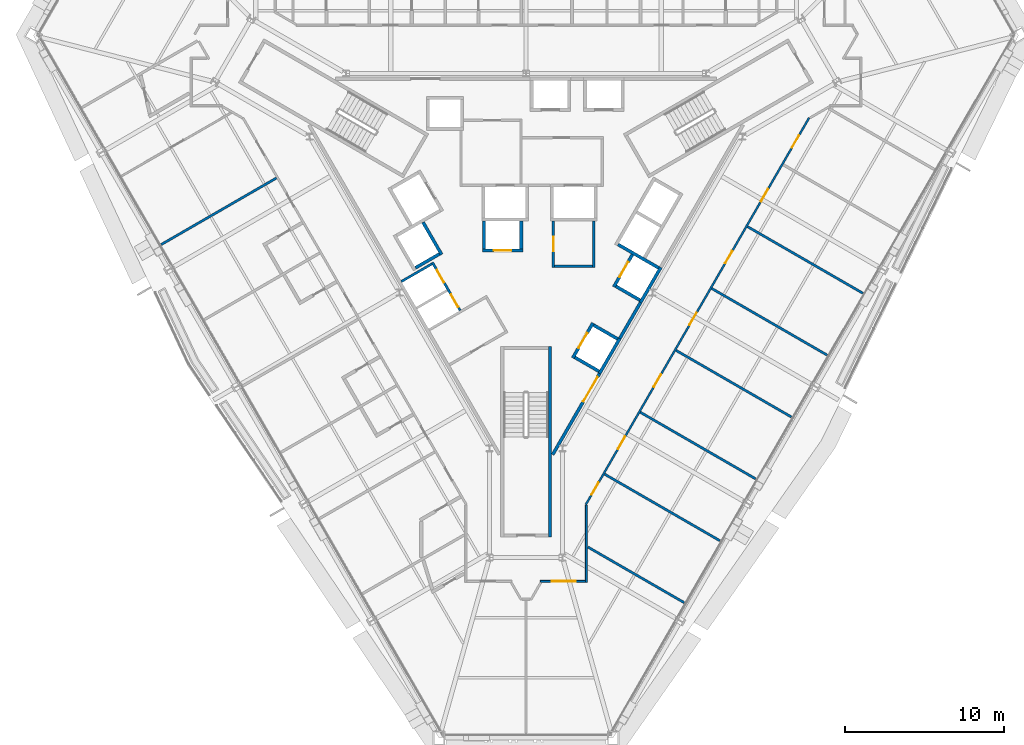
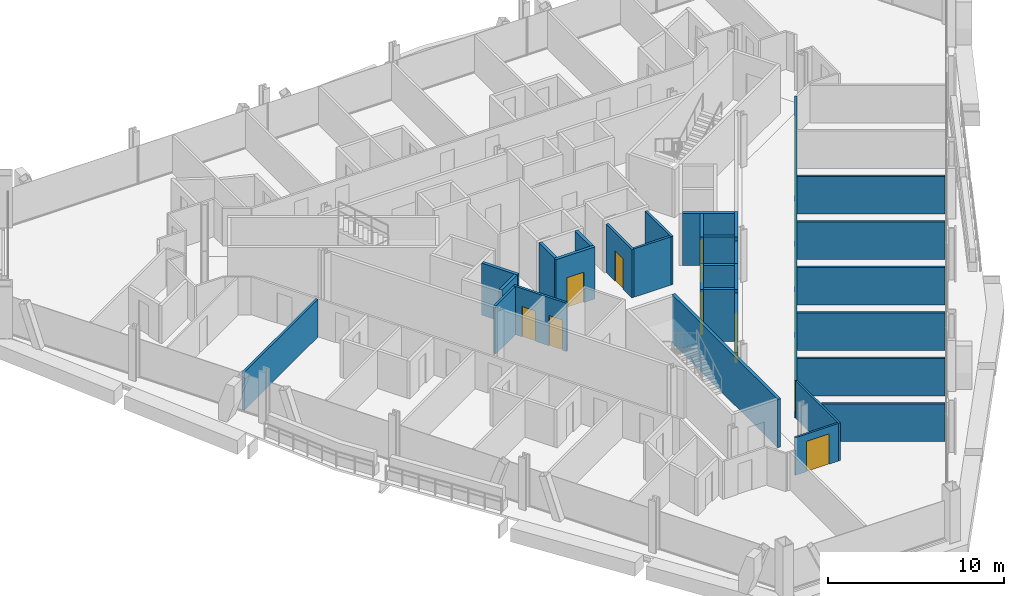
# One storey, part 13 of 18: 31 walls, 15 doors, 15 openings.
"""IFC4 building model written with IfcOpenShell, lengths in metres."""

from ifc_helpers import new_model, si_unit, direction, frame, frame_2d, origin, place, context, subcontext, project, spatial, rectangle, extrude, material, layer, layer_set, type_object, element, fill, save


model = new_model("IFC4")

# Units and contexts
model_context = context("Model", 3, precision=1e-05, world=origin(), true_north=direction((0.0, 1.0)))
body_context = subcontext(model_context, "Body", "Model", "MODEL_VIEW")
ifc_project = project(units=[si_unit("LENGTHUNIT", "METRE"), si_unit("AREAUNIT", "SQUARE_METRE"), si_unit("VOLUMEUNIT", "CUBIC_METRE"), si_unit("PLANEANGLEUNIT", "RADIAN"), si_unit("MASSUNIT", "GRAM", prefix="KILO")], contexts=[model_context])

# Site, building, storey
site_placement = place(None, origin())
site = spatial("IfcSite", under=ifc_project, at=site_placement, CompositionType="ELEMENT")
building_placement = place(site_placement, origin())
building = spatial("IfcBuilding", under=site, at=building_placement, Name="Verrane Prism Tower", CompositionType="ELEMENT")
storey_placement = place(building_placement, frame((0.0, 0.0, 54.800048828125)))
storey = spatial("IfcBuildingStorey", under=building, at=storey_placement, Name="L11", CompositionType="ELEMENT", Elevation=54.800048828125)

# Wall, opening, door
ifc_material_1 = material(Name="Gypsum board partition", Category="other")
ifc_layer_1 = layer(ifc_material_1, 0.199951171875)
ifc_layer_set_1 = layer_set([ifc_layer_1], Name="CW-200 core boundary wall 2 h")
wall_type_1 = type_object("IfcWallType", Name="CW-200 core boundary wall 2 h", PredefinedType="PARTITIONING", material=ifc_layer_set_1)
wall_1_placement = place(storey_placement, frame((1.677490234375, -14.814697265625, 0.0), z_axis=(0.0, 0.0, 1.0), x_axis=(0.49999445743, 0.866028603765, 0.0)))
wall_1 = element("IfcWall", 1, at=wall_1_placement, inside=storey, type_object=wall_type_1, Name="Core boundary wall CW3-003", PredefinedType="PARTITIONING", context=body_context, shape_type="SweptSolid", body=[
    extrude(rectangle(XDim=5.90478515625, YDim=0.199951171875, at=frame_2d((2.952392578125, 0.0))), origin(), (0.0, 0.0, 1.0), 3.349853515625),
])
opening_1_placement = place(wall_1_placement, frame((3.85498046875, 0.0, 0.0)))
opening_1 = element("IfcOpeningElement", 2, at=opening_1_placement, cuts=wall_1, Name="Opening D09517", PredefinedType="OPENING", context=body_context, shape_type="SweptSolid", body=[
    extrude(rectangle(XDim=1.800048828125, YDim=2.10009765625, at=frame_2d((0.89990234375, 1.050048828125))), frame((0.0, 0.10986328125, 0.0), z_axis=(0.0, -1.0, 0.0), x_axis=(1.0, 0.0, 0.0)), (0.0, 0.0, 1.0), 0.219970703125),
])
ifc_material_2 = material(Name="Timber veneered door leaf", Category="wood")
door_type_1 = type_object("IfcDoorType", Name="DR-1800x2100 FD60 double leaf lift lobby", OperationType="NOTDEFINED", PredefinedType="DOOR", material=ifc_material_2)
door_1_placement = place(opening_1_placement, origin())
door_1 = element("IfcDoor", 3, at=door_1_placement, inside=storey, type_object=door_type_1, Name="Lift lobby door D09517", OperationType="DOUBLE_DOOR_SINGLE_SWING", OverallHeight=2.10009765625, OverallWidth=1.800048828125, PredefinedType="DOOR", context=body_context, shape_type="SweptSolid", body=[
    extrude(rectangle(XDim=1.800048828125, YDim=2.10009765625, at=frame_2d((0.89990234375, 1.050048828125))), frame((0.0, 0.02490234375, 0.0), z_axis=(0.0, -1.0, 0.0), x_axis=(1.0, 0.0, 0.0)), (0.0, 0.0, 1.0), 0.050048828125),
])
fill(opening_1, door_1)

# Walls
wall_2_placement = place(storey_placement, frame((5.906005859375, -7.489990234375, 0.0), z_axis=(0.0, 0.0, 1.0), x_axis=(0.500252727967, 0.865879442048, 0.0)))
element("IfcWall", 4, at=wall_2_placement, inside=storey, type_object=wall_type_1, Name="Core boundary wall CW3-005", PredefinedType="PARTITIONING", context=body_context, shape_type="SweptSolid", body=[
    extrude(rectangle(XDim=2.616943359375, YDim=0.199951171875, at=frame_2d((1.30859375, 0.0))), origin(), (0.0, 0.0, 1.0), 3.349853515625),
])
ifc_material_3 = material(Name="Concrete C40/50", Category="concrete")
ifc_layer_2 = layer(ifc_material_3, 0.199951171875)
ifc_layer_set_2 = layer_set([ifc_layer_2], Name="CW-200 stair core wall concrete C40/50 3 h")
wall_type_2 = type_object("IfcWallType", Name="CW-200 stair core wall concrete C40/50 3 h", PredefinedType="PARTITIONING", material=ifc_layer_set_2)
wall_3_placement = place(storey_placement, frame((1.5, -8.0, 0.0), z_axis=(0.0, 0.0, 1.0), x_axis=(0.0, -1.0, 0.0)))
element("IfcWall", 5, at=wall_3_placement, inside=storey, type_object=wall_type_2, Name="Stair 3 enclosure wall", PredefinedType="PARTITIONING", context=body_context, shape_type="SweptSolid", body=[
    extrude(rectangle(XDim=12.0, YDim=0.199951171875, at=frame_2d((6.0, 0.0))), origin(), (0.0, 0.0, 1.0), 3.349853515625),
])

# Wall, opening, door
ifc_material_4 = material(Name="Gypsum board shaft wall assembly", Category="other")
ifc_layer_3 = layer(ifc_material_4, 0.199951171875)
ifc_layer_set_3 = layer_set([ifc_layer_3], Name="HW-200 lift shaft wall 2 h")
wall_type_3 = type_object("IfcWallType", Name="HW-200 lift shaft wall 2 h", PredefinedType="PARTITIONING", material=ifc_layer_set_3)
wall_4_placement = place(storey_placement, frame((-2.7548828125, -1.949951171875, 0.0), z_axis=(0.0, 0.0, 1.0), x_axis=(1.0, 0.0, 0.0)))
wall_4 = element("IfcWall", 6, at=wall_4_placement, inside=storey, type_object=wall_type_3, Name="Lift shaft wall", PredefinedType="PARTITIONING", context=body_context, shape_type="SweptSolid", body=[
    extrude(rectangle(XDim=2.5498046875, YDim=0.199951171875, at=frame_2d((1.27490234375, 0.0))), origin(), (0.0, 0.0, 1.0), 3.599853515625),
])
opening_2_placement = place(wall_4_placement, frame((0.72509765625, 0.0, 0.0)))
opening_2 = element("IfcOpeningElement", 7, at=opening_2_placement, cuts=wall_4, Name="Opening D09504", PredefinedType="OPENING", context=body_context, shape_type="SweptSolid", body=[
    extrude(rectangle(XDim=1.10009765625, YDim=2.10009765625, at=frame_2d((0.550048828125, 1.050048828125))), frame((0.0, 0.10986328125, 0.0), z_axis=(0.0, -1.0, 0.0), x_axis=(1.0, 0.0, 0.0)), (0.0, 0.0, 1.0), 0.219970703125),
])
ifc_material_5 = material(Name="Stainless steel sliding landing door", Category="steel")
door_type_2 = type_object("IfcDoorType", Name="LD-1100x2100 lift landing door FD90 sliding", OperationType="NOTDEFINED", PredefinedType="DOOR", material=ifc_material_5)
door_2_placement = place(opening_2_placement, origin())
door_2 = element("IfcDoor", 8, at=door_2_placement, inside=storey, type_object=door_type_2, Name="Bank A lift 2 landing door", OperationType="SLIDING_TO_RIGHT", OverallHeight=2.10009765625, OverallWidth=1.10009765625, PredefinedType="DOOR", context=body_context, shape_type="SweptSolid", body=[
    extrude(rectangle(XDim=1.10009765625, YDim=2.10009765625, at=frame_2d((0.550048828125, 1.050048828125))), frame((0.0, 0.02490234375, 0.0), z_axis=(0.0, -1.0, 0.0), x_axis=(1.0, 0.0, 0.0)), (0.0, 0.0, 1.0), 0.050048828125),
])
fill(opening_2, door_2)

# Walls
wall_5_placement = place(storey_placement, frame((-6.9697265625, -3.048095703125, 0.0), z_axis=(0.0, 0.0, 1.0), x_axis=(0.866036909293, 0.499980071345, 0.0)))
element("IfcWall", 9, at=wall_5_placement, inside=storey, type_object=wall_type_3, Name="Lift shaft wall", PredefinedType="PARTITIONING", context=body_context, shape_type="SweptSolid", body=[
    extrude(rectangle(XDim=1.75, YDim=0.199951171875, at=frame_2d((0.875, 0.0))), origin(), (0.0, 0.0, 1.0), 3.599853515625),
])
wall_6_placement = place(storey_placement, frame((4.63037109375, -9.69970703125, 0.0), z_axis=(0.0, 0.0, 1.0), x_axis=(0.500062241894, 0.865989465428, 0.0)))
element("IfcWall", 10, at=wall_6_placement, inside=storey, type_object=wall_type_3, Name="Lift shaft wall", PredefinedType="PARTITIONING", context=body_context, shape_type="SweptSolid", body=[
    extrude(rectangle(XDim=2.550048828125, YDim=0.199951171875, at=frame_2d((1.27490234375, 0.0))), origin(), (0.0, 0.0, 1.0), 3.599853515625),
])
wall_7_placement = place(storey_placement, frame((7.215576171875, -5.222412109375, 0.0), z_axis=(0.0, 0.0, 1.0), x_axis=(0.499990435942, 0.866030925526, 0.0)))
element("IfcWall", 11, at=wall_7_placement, inside=storey, type_object=wall_type_3, Name="Lift shaft wall", PredefinedType="PARTITIONING", context=body_context, shape_type="SweptSolid", body=[
    extrude(rectangle(XDim=2.5498046875, YDim=0.199951171875, at=frame_2d((1.27490234375, 0.0))), origin(), (0.0, 0.0, 1.0), 3.599853515625),
])

# Wall, opening, door
wall_8_placement = place(storey_placement, frame((2.941650390625, -8.724853515625, 0.0), z_axis=(0.0, 0.0, 1.0), x_axis=(0.500020783669, 0.866013403995, 0.0)))
wall_8 = element("IfcWall", 12, at=wall_8_placement, inside=storey, type_object=wall_type_3, Name="Lift shaft wall", PredefinedType="PARTITIONING", context=body_context, shape_type="SweptSolid", body=[
    extrude(rectangle(XDim=2.55029296875, YDim=0.199951171875, at=frame_2d((1.275146484375, 0.0))), origin(), (0.0, 0.0, 1.0), 3.599853515625),
])
opening_3_placement = place(wall_8_placement, frame((0.72509765625, 0.0, 0.0)))
opening_3 = element("IfcOpeningElement", 13, at=opening_3_placement, cuts=wall_8, Name="Opening D09506", PredefinedType="OPENING", context=body_context, shape_type="SweptSolid", body=[
    extrude(rectangle(XDim=1.10009765625, YDim=2.10009765625, at=frame_2d((0.550048828125, 1.050048828125))), frame((0.0, 0.10986328125, 0.0), z_axis=(0.0, -1.0, 0.0), x_axis=(1.0, 0.0, 0.0)), (0.0, 0.0, 1.0), 0.219970703125),
])
door_3_placement = place(opening_3_placement, origin())
door_3 = element("IfcDoor", 14, at=door_3_placement, inside=storey, type_object=door_type_2, Name="Bank A lift 4 landing door", OperationType="SLIDING_TO_RIGHT", OverallHeight=2.10009765625, OverallWidth=1.10009765625, PredefinedType="DOOR", context=body_context, shape_type="SweptSolid", body=[
    extrude(rectangle(XDim=1.10009765625, YDim=2.10009765625, at=frame_2d((0.550048828125, 1.050048828125))), frame((0.0, 0.02490234375, 0.0), z_axis=(0.0, -1.0, 0.0), x_axis=(1.0, 0.0, 0.0)), (0.0, 0.0, 1.0), 0.050048828125),
])
fill(opening_3, door_3)

wall_9_placement = place(storey_placement, frame((5.52685546875, -4.247314453125, 0.0), z_axis=(0.0, 0.0, 1.0), x_axis=(0.499938297808, 0.866061024631, 0.0)))
wall_9 = element("IfcWall", 15, at=wall_9_placement, inside=storey, type_object=wall_type_3, Name="Lift shaft wall", PredefinedType="PARTITIONING", context=body_context, shape_type="SweptSolid", body=[
    extrude(rectangle(XDim=2.349853515625, YDim=0.199951171875, at=frame_2d((1.1748046875, 0.0))), origin(), (0.0, 0.0, 1.0), 3.599853515625),
])
opening_4_placement = place(wall_9_placement, frame((0.72509765625, 0.0, 0.0)))
opening_4 = element("IfcOpeningElement", 16, at=opening_4_placement, cuts=wall_9, Name="Opening D09507", PredefinedType="OPENING", context=body_context, shape_type="SweptSolid", body=[
    extrude(rectangle(XDim=1.10009765625, YDim=2.10009765625, at=frame_2d((0.550048828125, 1.050048828125))), frame((0.0, 0.10986328125, 0.0), z_axis=(0.0, -1.0, 0.0), x_axis=(1.0, 0.0, 0.0)), (0.0, 0.0, 1.0), 0.219970703125),
])
door_4_placement = place(opening_4_placement, origin())
door_4 = element("IfcDoor", 17, at=door_4_placement, inside=storey, type_object=door_type_2, Name="Bank A lift 5 landing door", OperationType="SLIDING_TO_LEFT", OverallHeight=2.10009765625, OverallWidth=1.10009765625, PredefinedType="DOOR", context=body_context, shape_type="SweptSolid", body=[
    extrude(rectangle(XDim=1.10009765625, YDim=2.10009765625, at=frame_2d((0.550048828125, 1.050048828125))), frame((0.0, 0.02490234375, 0.0), z_axis=(0.0, -1.0, 0.0), x_axis=(1.0, 0.0, 0.0)), (0.0, 0.0, 1.0), 0.050048828125),
])
fill(opening_4, door_4)

# Walls
for number, where, z_axis, x_axis, name in (
    (18, (-0.304931640625, -1.85009765625, 0.0), (0.0, 0.0, 1.0), (0.0, 1.0, 0.0), "Lift shaft wall"),
    (19, (-2.655029296875, -1.85009765625, 0.0), (0.0, 0.0, 1.0), (0.0, 1.0, 0.0), "Lift shaft wall"),
):
    element("IfcWall", number, at=place(storey_placement, frame(where, z_axis=z_axis, x_axis=x_axis)), inside=storey, type_object=wall_type_3, Name=name, PredefinedType="PARTITIONING", context=body_context, shape_type="SweptSolid", body=[
        extrude(rectangle(XDim=1.75, YDim=0.199951171875, at=frame_2d((0.875, 0.0))), origin(), (0.0, 0.0, 1.0), 3.599853515625),
    ])
wall_10_placement = place(storey_placement, frame((-5.317626953125, -2.209716796875, 0.0), z_axis=(0.0, 0.0, 1.0), x_axis=(-0.499938297808, 0.866061024631, 0.0)))
element("IfcWall", 20, at=wall_10_placement, inside=storey, type_object=wall_type_3, Name="Lift shaft wall", PredefinedType="PARTITIONING", context=body_context, shape_type="SweptSolid", body=[
    extrude(rectangle(XDim=2.349853515625, YDim=0.199951171875, at=frame_2d((1.1748046875, 0.0))), origin(), (0.0, 0.0, 1.0), 3.599853515625),
])
wall_11_placement = place(storey_placement, frame((8.35400390625, -3.050537109375, 0.0), z_axis=(0.0, 0.0, 1.0), x_axis=(-0.866060182126, 0.499939757307, 0.0)))
element("IfcWall", 21, at=wall_11_placement, inside=storey, type_object=wall_type_3, Name="Lift shaft wall", PredefinedType="PARTITIONING", context=body_context, shape_type="SweptSolid", body=[
    extrude(rectangle(XDim=2.949951171875, YDim=0.199951171875, at=frame_2d((1.47509765625, 0.0))), origin(), (0.0, 0.0, 1.0), 3.599853515625),
])
wall_12_placement = place(storey_placement, frame((7.178955078125, -5.085693359375, 0.0), z_axis=(0.0, 0.0, 1.0), x_axis=(-0.866036909293, 0.499980071345, 0.0)))
element("IfcWall", 22, at=wall_12_placement, inside=storey, type_object=wall_type_3, Name="Lift shaft wall", PredefinedType="PARTITIONING", context=body_context, shape_type="SweptSolid", body=[
    extrude(rectangle(XDim=1.75, YDim=0.199951171875, at=frame_2d((0.875, 0.0))), origin(), (0.0, 0.0, 1.0), 3.599853515625),
])
wall_13_placement = place(storey_placement, frame((5.768798828125, -7.528076171875, 0.0), z_axis=(0.0, 0.0, 1.0), x_axis=(-0.866002029911, 0.500040482552, 0.0)))
element("IfcWall", 23, at=wall_13_placement, inside=storey, type_object=wall_type_3, Name="Lift shaft wall", PredefinedType="PARTITIONING", context=body_context, shape_type="SweptSolid", body=[
    extrude(rectangle(XDim=1.749755859375, YDim=0.199951171875, at=frame_2d((0.875, 0.0))), origin(), (0.0, 0.0, 1.0), 3.599853515625),
])
wall_14_placement = place(storey_placement, frame((4.593994140625, -9.563232421875, 0.0), z_axis=(0.0, 0.0, 1.0), x_axis=(-0.866036909293, 0.499980071345, 0.0)))
element("IfcWall", 24, at=wall_14_placement, inside=storey, type_object=wall_type_3, Name="Lift shaft wall", PredefinedType="PARTITIONING", context=body_context, shape_type="SweptSolid", body=[
    extrude(rectangle(XDim=1.75, YDim=0.199951171875, at=frame_2d((0.875, 0.0))), origin(), (0.0, 0.0, 1.0), 3.599853515625),
])

# Wall, opening, door
ifc_material_6 = material(Name="Gypsum board partition", Category="other")
ifc_layer_4 = layer(ifc_material_6, 0.125)
ifc_layer_set_4 = layer_set([ifc_layer_4], Name="PW-125 corridor wall 1 h")
wall_type_4 = type_object("IfcWallType", Name="PW-125 corridor wall 1 h", PredefinedType="PARTITIONING", material=ifc_layer_set_4)
wall_15_placement = place(storey_placement, frame((3.73193359375, -22.797119140625, 0.0), z_axis=(0.0, 0.0, 1.0), x_axis=(-1.0, 0.0, 0.0)))
wall_15 = element("IfcWall", 25, at=wall_15_placement, inside=storey, type_object=wall_type_4, Name="Corridor wall 054", PredefinedType="PARTITIONING", context=body_context, shape_type="SweptSolid", body=[
    extrude(rectangle(XDim=2.821533203125, YDim=0.125, at=frame_2d((1.41064453125, 0.0))), origin(), (0.0, 0.0, 1.0), 2.613037109375),
])
opening_5_placement = place(wall_15_placement, frame((0.60888671875, 0.0, 0.0)))
opening_5 = element("IfcOpeningElement", 26, at=opening_5_placement, cuts=wall_15, Name="Opening D09001", PredefinedType="OPENING", context=body_context, shape_type="SweptSolid", body=[
    extrude(rectangle(XDim=1.5, YDim=2.10009765625, at=frame_2d((0.75, 1.050048828125))), frame((0.0, 0.072509765625, 0.0), z_axis=(0.0, -1.0, 0.0), x_axis=(1.0, 0.0, 0.0)), (0.0, 0.0, 1.0), 0.14501953125),
])
ifc_material_7 = material(Name="Timber veneered door leaf", Category="wood")
door_type_3 = type_object("IfcDoorType", Name="DR-1500x2100 FD20 double leaf public", OperationType="NOTDEFINED", PredefinedType="DOOR", material=ifc_material_7)
door_5_placement = place(opening_5_placement, origin())
door_5 = element("IfcDoor", 27, at=door_5_placement, inside=storey, type_object=door_type_3, Name="Spa Reception door", OperationType="DOUBLE_DOOR_SINGLE_SWING", OverallHeight=2.10009765625, OverallWidth=1.5, PredefinedType="DOOR", context=body_context, shape_type="SweptSolid", body=[
    extrude(rectangle(XDim=1.5, YDim=2.10009765625, at=frame_2d((0.75, 1.050048828125))), frame((0.0, 0.02490234375, 0.0), z_axis=(0.0, -1.0, 0.0), x_axis=(1.0, 0.0, 0.0)), (0.0, 0.0, 1.0), 0.050048828125),
])
fill(opening_5, door_5)

# Wall
wall_16_placement = place(storey_placement, frame((3.797119140625, -22.859619140625, 0.0), z_axis=(0.0, 0.0, 1.0), x_axis=(0.0, 1.0, 0.0)))
element("IfcWall", 28, at=wall_16_placement, inside=storey, type_object=wall_type_4, Name="Corridor wall 057", PredefinedType="PARTITIONING", context=body_context, shape_type="SweptSolid", body=[
    extrude(rectangle(XDim=4.86962890625, YDim=0.125, at=frame_2d((2.434814453125, 0.0))), origin(), (0.0, 0.0, 1.0), 2.613037109375),
])

# Wall, openings, doors
wall_17_placement = place(storey_placement, frame((17.833251953125, 6.406005859375, 0.0), z_axis=(0.0, 0.0, 1.0), x_axis=(-0.500002884005, -0.866023738697, 0.0)))
wall_17 = element("IfcWall", 29, at=wall_17_placement, inside=storey, type_object=wall_type_4, Name="Corridor wall 059", PredefinedType="PARTITIONING", context=body_context, shape_type="SweptSolid", body=[
    extrude(rectangle(XDim=28.134521484375, YDim=0.125, at=frame_2d((14.0673828125, 0.0))), origin(), (0.0, 0.0, 1.0), 2.613037109375),
])
opening_6_placement = place(wall_17_placement, frame((26.522216796875, 0.0, 0.0)))
opening_6 = element("IfcOpeningElement", 30, at=opening_6_placement, cuts=wall_17, Name="Opening D09002", PredefinedType="OPENING", context=body_context, shape_type="SweptSolid", body=[
    extrude(rectangle(XDim=0.89990234375, YDim=2.10009765625, at=frame_2d((0.449951171875, 1.050048828125))), frame((0.0, 0.072509765625, 0.0), z_axis=(0.0, -1.0, 0.0), x_axis=(1.0, 0.0, 0.0)), (0.0, 0.0, 1.0), 0.14501953125),
])
opening_7_placement = place(wall_17_placement, frame((23.18408203125, 0.0, 0.0)))
opening_7 = element("IfcOpeningElement", 31, at=opening_7_placement, cuts=wall_17, Name="Opening D09003", PredefinedType="OPENING", context=body_context, shape_type="SweptSolid", body=[
    extrude(rectangle(XDim=0.89990234375, YDim=2.10009765625, at=frame_2d((0.449951171875, 1.050048828125))), frame((0.0, 0.072509765625, 0.0), z_axis=(0.0, -1.0, 0.0), x_axis=(1.0, 0.0, 0.0)), (0.0, 0.0, 1.0), 0.14501953125),
])
opening_8_placement = place(wall_17_placement, frame((18.68310546875, 0.0, 0.0)))
opening_8 = element("IfcOpeningElement", 32, at=opening_8_placement, cuts=wall_17, Name="Opening D09004", PredefinedType="OPENING", context=body_context, shape_type="SweptSolid", body=[
    extrude(rectangle(XDim=0.89990234375, YDim=2.10009765625, at=frame_2d((0.449951171875, 1.050048828125))), frame((0.0, 0.072509765625, 0.0), z_axis=(0.0, -1.0, 0.0), x_axis=(1.0, 0.0, 0.0)), (0.0, 0.0, 1.0), 0.14501953125),
])
opening_9_placement = place(wall_17_placement, frame((14.18212890625, 0.0, 0.0)))
opening_9 = element("IfcOpeningElement", 33, at=opening_9_placement, cuts=wall_17, Name="Opening D09005", PredefinedType="OPENING", context=body_context, shape_type="SweptSolid", body=[
    extrude(rectangle(XDim=0.89990234375, YDim=2.10009765625, at=frame_2d((0.449951171875, 1.050048828125))), frame((0.0, 0.072509765625, 0.0), z_axis=(0.0, -1.0, 0.0), x_axis=(1.0, 0.0, 0.0)), (0.0, 0.0, 1.0), 0.14501953125),
])
opening_10_placement = place(wall_17_placement, frame((9.68115234375, 0.0, 0.0)))
opening_10 = element("IfcOpeningElement", 34, at=opening_10_placement, cuts=wall_17, Name="Opening D09006", PredefinedType="OPENING", context=body_context, shape_type="SweptSolid", body=[
    extrude(rectangle(XDim=0.89990234375, YDim=2.10009765625, at=frame_2d((0.449951171875, 1.050048828125))), frame((0.0, 0.072509765625, 0.0), z_axis=(0.0, -1.0, 0.0), x_axis=(1.0, 0.0, 0.0)), (0.0, 0.0, 1.0), 0.14501953125),
])
opening_11_placement = place(wall_17_placement, frame((5.18017578125, 0.0, 0.0)))
opening_11 = element("IfcOpeningElement", 35, at=opening_11_placement, cuts=wall_17, Name="Opening D09007", PredefinedType="OPENING", context=body_context, shape_type="SweptSolid", body=[
    extrude(rectangle(XDim=0.89990234375, YDim=2.10009765625, at=frame_2d((0.449951171875, 1.050048828125))), frame((0.0, 0.072509765625, 0.0), z_axis=(0.0, -1.0, 0.0), x_axis=(1.0, 0.0, 0.0)), (0.0, 0.0, 1.0), 0.14501953125),
])
opening_12_placement = place(wall_17_placement, frame((1.278076171875, 0.0, 0.0)))
opening_12 = element("IfcOpeningElement", 36, at=opening_12_placement, cuts=wall_17, Name="Opening D09008", PredefinedType="OPENING", context=body_context, shape_type="SweptSolid", body=[
    extrude(rectangle(XDim=0.89990234375, YDim=2.10009765625, at=frame_2d((0.449951171875, 1.050048828125))), frame((0.0, 0.072509765625, 0.0), z_axis=(0.0, -1.0, 0.0), x_axis=(1.0, 0.0, 0.0)), (0.0, 0.0, 1.0), 0.14501953125),
])
ifc_material_8 = material(Name="Timber veneered door leaf", Category="wood")
door_type_4 = type_object("IfcDoorType", Name="DR-900x2100 single leaf unit", OperationType="NOTDEFINED", PredefinedType="DOOR", material=ifc_material_8)
door_6_placement = place(opening_6_placement, origin())
door_6 = element("IfcDoor", 37, at=door_6_placement, inside=storey, type_object=door_type_4, Name="Study door", OperationType="SINGLE_SWING_LEFT", OverallHeight=2.10009765625, OverallWidth=0.89990234375, PredefinedType="DOOR", context=body_context, shape_type="SweptSolid", body=[
    extrude(rectangle(XDim=0.89990234375, YDim=2.10009765625, at=frame_2d((0.449951171875, 1.050048828125))), frame((0.0, 0.02490234375, 0.0), z_axis=(0.0, -1.0, 0.0), x_axis=(1.0, 0.0, 0.0)), (0.0, 0.0, 1.0), 0.050048828125),
])
fill(opening_6, door_6)
door_7_placement = place(opening_7_placement, origin())
door_7 = element("IfcDoor", 38, at=door_7_placement, inside=storey, type_object=door_type_4, Name="Study door", OperationType="SINGLE_SWING_RIGHT", OverallHeight=2.10009765625, OverallWidth=0.89990234375, PredefinedType="DOOR", context=body_context, shape_type="SweptSolid", body=[
    extrude(rectangle(XDim=0.89990234375, YDim=2.10009765625, at=frame_2d((0.449951171875, 1.050048828125))), frame((0.0, 0.02490234375, 0.0), z_axis=(0.0, -1.0, 0.0), x_axis=(1.0, 0.0, 0.0)), (0.0, 0.0, 1.0), 0.050048828125),
])
fill(opening_7, door_7)
door_8_placement = place(opening_8_placement, origin())
door_8 = element("IfcDoor", 39, at=door_8_placement, inside=storey, type_object=door_type_4, Name="Study door", OperationType="SINGLE_SWING_LEFT", OverallHeight=2.10009765625, OverallWidth=0.89990234375, PredefinedType="DOOR", context=body_context, shape_type="SweptSolid", body=[
    extrude(rectangle(XDim=0.89990234375, YDim=2.10009765625, at=frame_2d((0.449951171875, 1.050048828125))), frame((0.0, 0.02490234375, 0.0), z_axis=(0.0, -1.0, 0.0), x_axis=(1.0, 0.0, 0.0)), (0.0, 0.0, 1.0), 0.050048828125),
])
fill(opening_8, door_8)
door_9_placement = place(opening_9_placement, origin())
door_9 = element("IfcDoor", 40, at=door_9_placement, inside=storey, type_object=door_type_4, Name="Study door", OperationType="SINGLE_SWING_RIGHT", OverallHeight=2.10009765625, OverallWidth=0.89990234375, PredefinedType="DOOR", context=body_context, shape_type="SweptSolid", body=[
    extrude(rectangle(XDim=0.89990234375, YDim=2.10009765625, at=frame_2d((0.449951171875, 1.050048828125))), frame((0.0, 0.02490234375, 0.0), z_axis=(0.0, -1.0, 0.0), x_axis=(1.0, 0.0, 0.0)), (0.0, 0.0, 1.0), 0.050048828125),
])
fill(opening_9, door_9)
door_10_placement = place(opening_10_placement, origin())
door_10 = element("IfcDoor", 41, at=door_10_placement, inside=storey, type_object=door_type_4, Name="Study door", OperationType="SINGLE_SWING_LEFT", OverallHeight=2.10009765625, OverallWidth=0.89990234375, PredefinedType="DOOR", context=body_context, shape_type="SweptSolid", body=[
    extrude(rectangle(XDim=0.89990234375, YDim=2.10009765625, at=frame_2d((0.449951171875, 1.050048828125))), frame((0.0, 0.02490234375, 0.0), z_axis=(0.0, -1.0, 0.0), x_axis=(1.0, 0.0, 0.0)), (0.0, 0.0, 1.0), 0.050048828125),
])
fill(opening_10, door_10)
door_11_placement = place(opening_11_placement, origin())
door_11 = element("IfcDoor", 42, at=door_11_placement, inside=storey, type_object=door_type_4, Name="Study door", OperationType="SINGLE_SWING_RIGHT", OverallHeight=2.10009765625, OverallWidth=0.89990234375, PredefinedType="DOOR", context=body_context, shape_type="SweptSolid", body=[
    extrude(rectangle(XDim=0.89990234375, YDim=2.10009765625, at=frame_2d((0.449951171875, 1.050048828125))), frame((0.0, 0.02490234375, 0.0), z_axis=(0.0, -1.0, 0.0), x_axis=(1.0, 0.0, 0.0)), (0.0, 0.0, 1.0), 0.050048828125),
])
fill(opening_11, door_11)
door_12_placement = place(opening_12_placement, origin())
door_12 = element("IfcDoor", 43, at=door_12_placement, inside=storey, type_object=door_type_4, Name="Study door", OperationType="SINGLE_SWING_LEFT", OverallHeight=2.10009765625, OverallWidth=0.89990234375, PredefinedType="DOOR", context=body_context, shape_type="SweptSolid", body=[
    extrude(rectangle(XDim=0.89990234375, YDim=2.10009765625, at=frame_2d((0.449951171875, 1.050048828125))), frame((0.0, 0.02490234375, 0.0), z_axis=(0.0, -1.0, 0.0), x_axis=(1.0, 0.0, 0.0)), (0.0, 0.0, 1.0), 0.050048828125),
])
fill(opening_12, door_12)

# Walls
ifc_material_9 = material(Name="Gypsum board partition", Category="other")
ifc_layer_5 = layer(ifc_material_9, 0.14990234375)
ifc_layer_set_5 = layer_set([ifc_layer_5], Name="PW-150 demising wall 1 h")
wall_type_5 = type_object("IfcWallType", Name="PW-150 demising wall 1 h", PredefinedType="PARTITIONING", material=ifc_layer_set_5)
wall_18_placement = place(storey_placement, frame((-22.983642578125, -1.580810546875, 0.0), z_axis=(0.0, 0.0, 1.0), x_axis=(0.866040157966, 0.499974444137, 0.0)))
element("IfcWall", 44, at=wall_18_placement, inside=storey, type_object=wall_type_5, Name="Demising wall 005", PredefinedType="PARTITIONING", context=body_context, shape_type="SweptSolid", body=[
    extrude(rectangle(XDim=8.38671875, YDim=0.14990234375, at=frame_2d((4.193359375, 0.0))), origin(), (0.0, 0.0, 1.0), 2.613037109375),
])
wall_19_placement = place(storey_placement, frame((3.89697265625, -20.634765625, 0.0), z_axis=(0.0, 0.0, 1.0), x_axis=(0.866031150847, -0.499990045664, 0.0)))
element("IfcWall", 45, at=wall_19_placement, inside=storey, type_object=wall_type_5, Name="Demising wall 058", PredefinedType="PARTITIONING", context=body_context, shape_type="SweptSolid", body=[
    extrude(rectangle(XDim=7.002685546875, YDim=0.14990234375, at=frame_2d((3.50146484375, 0.0))), origin(), (0.0, 0.0, 1.0), 2.613037109375),
])
wall_20_placement = place(storey_placement, frame((4.949462890625, -16.043701171875, 0.0), z_axis=(0.0, 0.0, 1.0), x_axis=(0.866040157966, -0.499974444137, 0.0)))
element("IfcWall", 46, at=wall_20_placement, inside=storey, type_object=wall_type_5, Name="Demising wall 060", PredefinedType="PARTITIONING", context=body_context, shape_type="SweptSolid", body=[
    extrude(rectangle(XDim=8.38671875, YDim=0.14990234375, at=frame_2d((4.193359375, 0.0))), origin(), (0.0, 0.0, 1.0), 2.613037109375),
])
wall_21_placement = place(storey_placement, frame((7.196044921875, -12.143310546875, 0.0), z_axis=(0.0, 0.0, 1.0), x_axis=(0.866010672798, -0.500025513949, 0.0)))
element("IfcWall", 47, at=wall_21_placement, inside=storey, type_object=wall_type_5, Name="Demising wall 063", PredefinedType="PARTITIONING", context=body_context, shape_type="SweptSolid", body=[
    extrude(rectangle(XDim=8.39111328125, YDim=0.14990234375, at=frame_2d((4.195556640625, 0.0))), origin(), (0.0, 0.0, 1.0), 2.613037109375),
])
wall_22_placement = place(storey_placement, frame((9.450439453125, -8.247802734375, 0.0), z_axis=(0.0, 0.0, 1.0), x_axis=(0.866040157966, -0.499974444137, 0.0)))
element("IfcWall", 48, at=wall_22_placement, inside=storey, type_object=wall_type_5, Name="Demising wall 065", PredefinedType="PARTITIONING", context=body_context, shape_type="SweptSolid", body=[
    extrude(rectangle(XDim=8.38671875, YDim=0.14990234375, at=frame_2d((4.193359375, 0.0))), origin(), (0.0, 0.0, 1.0), 2.613037109375),
])
wall_23_placement = place(storey_placement, frame((11.697021484375, -4.34716796875, 0.0), z_axis=(0.0, 0.0, 1.0), x_axis=(0.866005348532, -0.500034735108, 0.0)))
element("IfcWall", 49, at=wall_23_placement, inside=storey, type_object=wall_type_5, Name="Demising wall 067", PredefinedType="PARTITIONING", context=body_context, shape_type="SweptSolid", body=[
    extrude(rectangle(XDim=8.3916015625, YDim=0.14990234375, at=frame_2d((4.19580078125, 0.0))), origin(), (0.0, 0.0, 1.0), 2.613037109375),
])
wall_24_placement = place(storey_placement, frame((13.951416015625, -0.45166015625, 0.0), z_axis=(0.0, 0.0, 1.0), x_axis=(0.866027553047, -0.499996277349, 0.0)))
element("IfcWall", 50, at=wall_24_placement, inside=storey, type_object=wall_type_5, Name="Demising wall 070", PredefinedType="PARTITIONING", context=body_context, shape_type="SweptSolid", body=[
    extrude(rectangle(XDim=8.38671875, YDim=0.14990234375, at=frame_2d((4.193359375, 0.0))), origin(), (0.0, 0.0, 1.0), 2.613037109375),
])
ifc_material_10 = material(Name="Gypsum board partition", Category="other")
ifc_layer_6 = layer(ifc_material_10, 0.14990234375)
ifc_layer_set_6 = layer_set([ifc_layer_6], Name="RS-150 riser enclosure wall 1 h")
wall_type_6 = type_object("IfcWallType", Name="RS-150 riser enclosure wall 1 h", PredefinedType="PARTITIONING", material=ifc_layer_set_6)
wall_25_placement = place(storey_placement, frame((-7.8564453125, -3.912109375, 0.0), z_axis=(0.0, 0.0, 1.0), x_axis=(0.865971748, 0.500092923031, 0.0)))
element("IfcWall", 51, at=wall_25_placement, inside=storey, type_object=wall_type_6, Name="Riser wall RS3-001", PredefinedType="PARTITIONING", context=body_context, shape_type="SweptSolid", body=[
    extrude(rectangle(XDim=2.224609375, YDim=0.14990234375, at=frame_2d((1.1123046875, 0.0))), origin(), (0.0, 0.0, 1.0), 3.349853515625),
])

# Wall, openings, doors
wall_26_placement = place(storey_placement, frame((-4.152099609375, -5.728759765625, 0.0), z_axis=(0.0, 0.0, 1.0), x_axis=(-0.500024287448, 0.866011380966, 0.0)))
wall_26 = element("IfcWall", 52, at=wall_26_placement, inside=storey, type_object=wall_type_6, Name="Riser wall RS3-004", PredefinedType="PARTITIONING", context=body_context, shape_type="SweptSolid", body=[
    extrude(rectangle(XDim=3.500732421875, YDim=0.14990234375, at=frame_2d((1.75048828125, 0.0))), origin(), (0.0, 0.0, 1.0), 3.349853515625),
])
opening_13_placement = place(wall_26_placement, frame((2.025634765625, 0.0, 0.0)))
opening_13 = element("IfcOpeningElement", 53, at=opening_13_placement, cuts=wall_26, Name="Opening D09512", PredefinedType="OPENING", context=body_context, shape_type="SweptSolid", body=[
    extrude(rectangle(XDim=0.89990234375, YDim=2.10009765625, at=frame_2d((0.449951171875, 1.050048828125))), frame((0.0, 0.0849609375, 0.0), z_axis=(0.0, -1.0, 0.0), x_axis=(1.0, 0.0, 0.0)), (0.0, 0.0, 1.0), 0.169921875),
])
opening_14_placement = place(wall_26_placement, frame((0.247802734375, 0.0, 0.0)))
opening_14 = element("IfcOpeningElement", 54, at=opening_14_placement, cuts=wall_26, Name="Opening D09513", PredefinedType="OPENING", context=body_context, shape_type="SweptSolid", body=[
    extrude(rectangle(XDim=0.89990234375, YDim=2.10009765625, at=frame_2d((0.449951171875, 1.050048828125))), frame((0.0, 0.0849609375, 0.0), z_axis=(0.0, -1.0, 0.0), x_axis=(1.0, 0.0, 0.0)), (0.0, 0.0, 1.0), 0.169921875),
])
ifc_material_11 = material(Name="Timber veneered door leaf", Category="wood")
door_type_5 = type_object("IfcDoorType", Name="DR-900x2100 FD60 single leaf riser", OperationType="NOTDEFINED", PredefinedType="DOOR", material=ifc_material_11)
door_13_placement = place(opening_13_placement, origin())
door_13 = element("IfcDoor", 55, at=door_13_placement, inside=storey, type_object=door_type_5, Name="Riser door D09512", OperationType="SINGLE_SWING_RIGHT", OverallHeight=2.10009765625, OverallWidth=0.89990234375, PredefinedType="DOOR", context=body_context, shape_type="SweptSolid", body=[
    extrude(rectangle(XDim=0.89990234375, YDim=2.10009765625, at=frame_2d((0.449951171875, 1.050048828125))), frame((0.0, 0.02490234375, 0.0), z_axis=(0.0, -1.0, 0.0), x_axis=(1.0, 0.0, 0.0)), (0.0, 0.0, 1.0), 0.050048828125),
])
fill(opening_13, door_13)
door_14_placement = place(opening_14_placement, origin())
door_14 = element("IfcDoor", 56, at=door_14_placement, inside=storey, type_object=door_type_5, Name="Riser door D09513", OperationType="SINGLE_SWING_LEFT", OverallHeight=2.10009765625, OverallWidth=0.89990234375, PredefinedType="DOOR", context=body_context, shape_type="SweptSolid", body=[
    extrude(rectangle(XDim=0.89990234375, YDim=2.10009765625, at=frame_2d((0.449951171875, 1.050048828125))), frame((0.0, 0.02490234375, 0.0), z_axis=(0.0, -1.0, 0.0), x_axis=(1.0, 0.0, 0.0)), (0.0, 0.0, 1.0), 0.050048828125),
])
fill(opening_14, door_14)

# Wall, opening, door
wall_27_placement = place(storey_placement, frame((1.72509765625, -0.10205078125, 0.0), z_axis=(0.0, 0.0, 1.0), x_axis=(0.0, -1.0, 0.0)))
wall_27 = element("IfcWall", 57, at=wall_27_placement, inside=storey, type_object=wall_type_6, Name="Riser wall RS3-007", PredefinedType="PARTITIONING", context=body_context, shape_type="SweptSolid", body=[
    extrude(rectangle(XDim=2.9228515625, YDim=0.14990234375, at=frame_2d((1.46142578125, 0.0))), origin(), (0.0, 0.0, 1.0), 3.349853515625),
])
opening_15_placement = place(wall_27_placement, frame((0.998046875, 0.0, 0.0)))
opening_15 = element("IfcOpeningElement", 58, at=opening_15_placement, cuts=wall_27, Name="Opening D09518", PredefinedType="OPENING", context=body_context, shape_type="SweptSolid", body=[
    extrude(rectangle(XDim=0.89990234375, YDim=2.10009765625, at=frame_2d((0.449951171875, 1.050048828125))), frame((0.0, 0.0849609375, 0.0), z_axis=(0.0, -1.0, 0.0), x_axis=(1.0, 0.0, 0.0)), (0.0, 0.0, 1.0), 0.169921875),
])
ifc_material_12 = material(Name="Timber veneered door leaf", Category="wood")
door_type_6 = type_object("IfcDoorType", Name="DR-900x2100 FD20 single leaf store", OperationType="NOTDEFINED", PredefinedType="DOOR", material=ifc_material_12)
door_15_placement = place(opening_15_placement, origin())
door_15 = element("IfcDoor", 59, at=door_15_placement, inside=storey, type_object=door_type_6, Name="Room door D09518", OperationType="SINGLE_SWING_LEFT", OverallHeight=2.10009765625, OverallWidth=0.89990234375, PredefinedType="DOOR", context=body_context, shape_type="SweptSolid", body=[
    extrude(rectangle(XDim=0.89990234375, YDim=2.10009765625, at=frame_2d((0.449951171875, 1.050048828125))), frame((0.0, 0.02490234375, 0.0), z_axis=(0.0, -1.0, 0.0), x_axis=(1.0, 0.0, 0.0)), (0.0, 0.0, 1.0), 0.050048828125),
])
fill(opening_15, door_15)

# Walls
wall_28_placement = place(storey_placement, frame((1.800048828125, -2.949951171875, 0.0), z_axis=(0.0, 0.0, 1.0), x_axis=(1.0, 0.0, 0.0)))
element("IfcWall", 60, at=wall_28_placement, inside=storey, type_object=wall_type_6, Name="Riser wall RS3-008", PredefinedType="PARTITIONING", context=body_context, shape_type="SweptSolid", body=[
    extrude(rectangle(XDim=2.39990234375, YDim=0.14990234375, at=frame_2d((1.199951171875, 0.0))), origin(), (0.0, 0.0, 1.0), 3.349853515625),
])
wall_29_placement = place(storey_placement, frame((4.27490234375, -3.02490234375, 0.0), z_axis=(0.0, 0.0, 1.0), x_axis=(0.0, 1.0, 0.0)))
element("IfcWall", 61, at=wall_29_placement, inside=storey, type_object=wall_type_6, Name="Riser wall RS3-009", PredefinedType="PARTITIONING", context=body_context, shape_type="SweptSolid", body=[
    extrude(rectangle(XDim=2.9228515625, YDim=0.14990234375, at=frame_2d((1.46142578125, 0.0))), origin(), (0.0, 0.0, 1.0), 3.349853515625),
])

save(model, "model.ifc")
